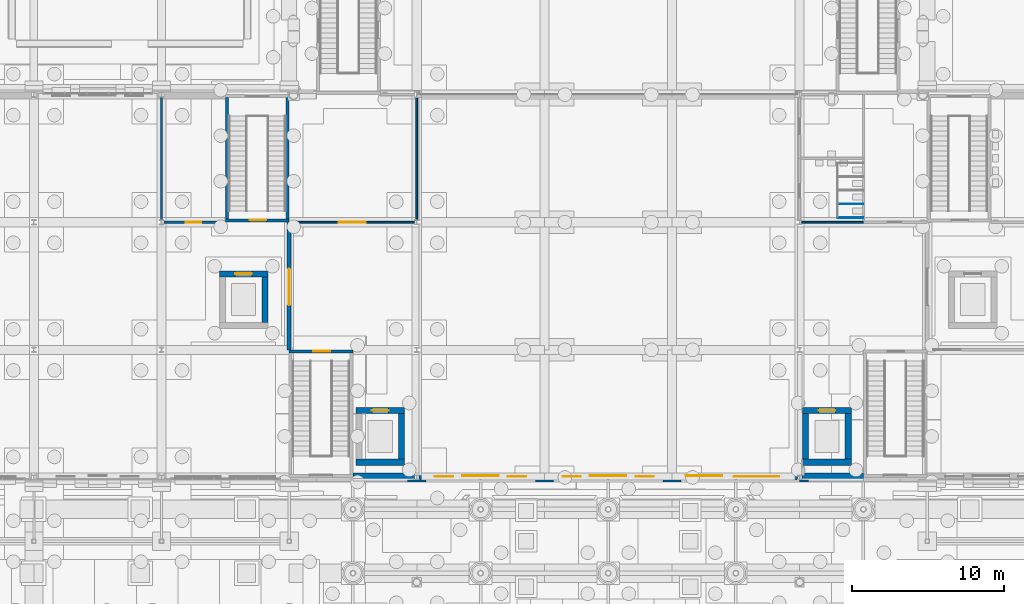
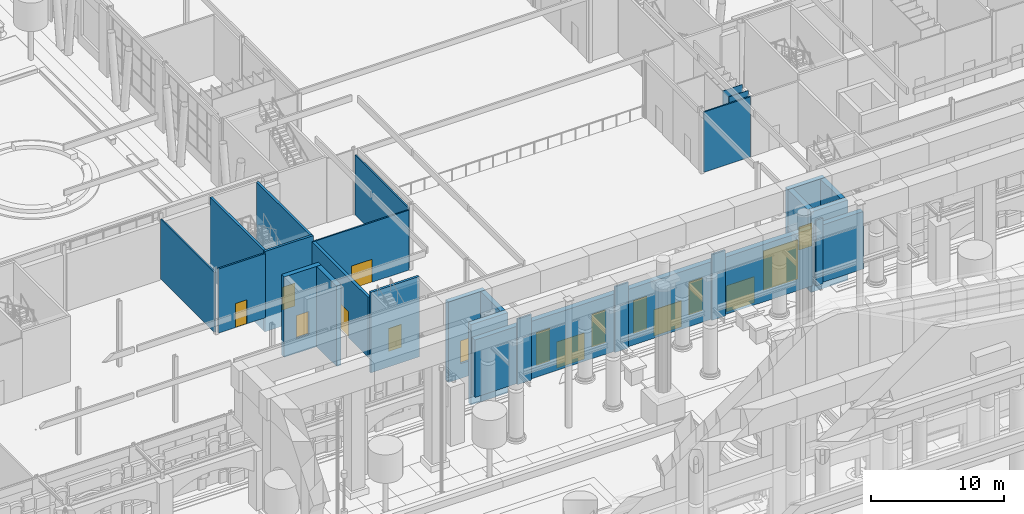
# One storey, part 90 of 222: 28 walls, 11 doors, 5 windows, 16 openings.
"""IFC4 building model written with IfcOpenShell, lengths in metres."""

from ifc_helpers import new_model, si_unit, direction, frame, frame_2d, origin, place, context, subcontext, project, spatial, rectangle, extrude, material, layer, layer_set, type_object, element, fill, save


model = new_model("IFC4")

# Units and contexts
model_context = context("Model", 3, precision=1e-05, world=origin(), true_north=direction((0.0, 1.0)))
body_context = subcontext(model_context, "Body", "Model", "MODEL_VIEW")
ifc_project = project(units=[si_unit("LENGTHUNIT", "METRE"), si_unit("AREAUNIT", "SQUARE_METRE"), si_unit("VOLUMEUNIT", "CUBIC_METRE"), si_unit("PLANEANGLEUNIT", "RADIAN"), si_unit("MASSUNIT", "GRAM", prefix="KILO")], contexts=[model_context])

# Site, building, storey
site_placement = place(None, origin())
site = spatial("IfcSite", under=ifc_project, at=site_placement, CompositionType="ELEMENT")
building_placement = place(site_placement, origin())
building = spatial("IfcBuilding", under=site, at=building_placement, Name="Sava Quay Ferry Terminal", CompositionType="ELEMENT")
storey_placement = place(building_placement, origin())
storey = spatial("IfcBuildingStorey", under=building, at=storey_placement, Name="L00", CompositionType="ELEMENT", Elevation=0.0)

# Wall, opening, door
ifc_material_1 = material(Name="Concrete C30/37", Category="concrete")
ifc_layer_1 = layer(ifc_material_1, 0.25)
ifc_layer_set_1 = layer_set([ifc_layer_1], Name="Concrete C30/37")
wall_type_1 = type_object("IfcWallType", Name="Compartment wall, reinforced concrete 250", PredefinedType="PARTITIONING", material=ifc_layer_set_1)
wall_1_placement = place(storey_placement, frame((42.0, 33.60009765625, 0.0), z_axis=(0.0, 0.0, 1.0), x_axis=(0.0, 1.0, 0.0)))
wall_1 = element("IfcWall", 1, at=wall_1_placement, inside=storey, type_object=wall_type_1, Name="Compartment wall, reinforced concrete 250", PredefinedType="PARTITIONING", context=body_context, shape_type="SweptSolid", body=[
    extrude(rectangle(XDim=8.39990234375, YDim=0.25, at=frame_2d((4.199951171875, 0.0))), origin(), (0.0, 0.0, 1.0), 5.47998046875),
])
opening_1_placement = place(wall_1_placement, frame((2.949951171875, 0.0, 0.0)))
opening_1 = element("IfcOpeningElement", 2, at=opening_1_placement, cuts=wall_1, Name="Opening DP0001", PredefinedType="OPENING", context=body_context, shape_type="SweptSolid", body=[
    extrude(rectangle(XDim=2.39990234375, YDim=2.39990234375, at=frame_2d((1.199951171875, 1.199951171875))), frame((0.0, 0.125, 0.0), z_axis=(0.0, -1.0, 0.0), x_axis=(1.0, 0.0, 0.0)), (0.0, 0.0, 1.0), 0.25),
])
ifc_material_2 = material(Name="Steel fire door set", Category="steel")
door_type_1 = type_object("IfcDoorType", Name="Compartment fire door set EI 90 2400 x 2400", OperationType="NOTDEFINED", PredefinedType="DOOR", material=ifc_material_2)
door_1_placement = place(opening_1_placement, origin())
door_1 = element("IfcDoor", 3, at=door_1_placement, inside=storey, type_object=door_type_1, Name="Door DP0001", OperationType="DOUBLE_DOOR_DOUBLE_SWING", OverallHeight=2.39990234375, OverallWidth=2.39990234375, PredefinedType="DOOR", context=body_context, shape_type="SweptSolid", body=[
    extrude(rectangle(XDim=2.39990234375, YDim=2.39990234375, at=frame_2d((1.199951171875, 1.199951171875))), frame((0.0, 0.02490234375, 0.0), z_axis=(0.0, -1.0, 0.0), x_axis=(1.0, 0.0, 0.0)), (0.0, 0.0, 1.0), 0.050048828125),
])
fill(opening_1, door_1)

# Walls
ifc_material_3 = material(Name="High-pressure laminate panel")
ifc_layer_2 = layer(ifc_material_3, 0.050048828125)
ifc_layer_set_2 = layer_set([ifc_layer_2], Name="High-pressure laminate panel")
wall_type_2 = type_object("IfcWallType", Name="Cubicle partition 50", PredefinedType="PARTITIONING", material=ifc_layer_set_2)
for number, where, z_axis, x_axis, name in (
    (4, (79.800048828125, 42.300048828125, 0.0), (0.0, 0.0, 1.0), (-1.0, 0.0, 0.0), "Cubicle partition panel"),
    (5, (79.800048828125, 43.199951171875, 0.0), (0.0, 0.0, 1.0), (-1.0, 0.0, 0.0), "Cubicle partition panel"),
):
    element("IfcWall", number, at=place(storey_placement, frame(where, z_axis=z_axis, x_axis=x_axis)), inside=storey, type_object=wall_type_2, Name=name, PredefinedType="PARTITIONING", context=body_context, shape_type="SweptSolid", body=[
        extrude(rectangle(XDim=1.699951171875, YDim=0.050048828125, at=frame_2d((0.85009765625, 0.0))), origin(), (0.0, 0.0, 1.0), 5.8701171875),
    ])
ifc_material_4 = material(Name="Limestone Mutalj", Category="masonry")
ifc_layer_3 = layer(ifc_material_4, 0.14990234375)
ifc_layer_set_3 = layer_set([ifc_layer_3], Name="Limestone Mutalj")
wall_type_3 = type_object("IfcWallType", Name="Pier cladding 150", PredefinedType="SOLIDWALL", material=ifc_layer_set_3)
for number, where, z_axis, x_axis, name in (
    (6, (49.800048828125, 24.965087890625, 0.0), (0.0, 0.0, 1.0), (1.0, 0.0, 0.0), "Pier W-S grid 50.4"),
    (7, (58.199951171875, 24.965087890625, 0.0), (0.0, 0.0, 1.0), (1.0, 0.0, 0.0), "Pier W-S grid 58.8"),
    (8, (66.60009765625, 24.965087890625, 0.0), (0.0, 0.0, 1.0), (1.0, 0.0, 0.0), "Pier W-S grid 67.2"),
):
    element("IfcWall", number, at=place(storey_placement, frame(where, z_axis=z_axis, x_axis=x_axis)), inside=storey, type_object=wall_type_3, Name=name, PredefinedType="SOLIDWALL", context=body_context, shape_type="SweptSolid", body=[
        extrude(rectangle(XDim=1.199951171875, YDim=0.14990234375, at=frame_2d((0.60009765625, 0.0))), origin(), (0.0, 0.0, 1.0), 6.0),
    ])
wall_2_placement = place(storey_placement, frame((75.60009765625, 24.965087890625, 0.0), z_axis=(0.0, 0.0, 1.0), x_axis=(1.0, 0.0, 0.0)))
element("IfcWall", 9, at=wall_2_placement, inside=storey, type_object=wall_type_3, Name="Pier P-S grid 75.6", PredefinedType="SOLIDWALL", context=body_context, shape_type="SweptSolid", body=[
    extrude(rectangle(XDim=0.599853515625, YDim=0.14990234375, at=frame_2d((0.2998046875, 0.0))), origin(), (0.0, 0.0, 1.0), 6.0),
])

# Wall, opening, door
ifc_material_5 = material(Name="Masonry blockwork", Category="masonry")
ifc_layer_4 = layer(ifc_material_5, 0.14990234375)
ifc_layer_set_4 = layer_set([ifc_layer_4], Name="Masonry blockwork")
wall_type_4 = type_object("IfcWallType", Name="Plant, store and lobby wall, blockwork 150", PredefinedType="PARTITIONING", material=ifc_layer_set_4)
wall_3_placement = place(storey_placement, frame((33.75, 42.0, 0.0), z_axis=(0.0, 0.0, 1.0), x_axis=(1.0, 0.0, 0.0)))
wall_3 = element("IfcWall", 10, at=wall_3_placement, inside=storey, type_object=wall_type_4, Name="Plant, store and lobby wall, blockwork 150", PredefinedType="PARTITIONING", context=body_context, shape_type="SweptSolid", body=[
    extrude(rectangle(XDim=4.050048828125, YDim=0.14990234375, at=frame_2d((2.02490234375, 0.0))), origin(), (0.0, 0.0, 1.0), 5.8701171875),
])
opening_2_placement = place(wall_3_placement, frame((1.449951171875, 0.0, 0.0)))
opening_2 = element("IfcOpeningElement", 11, at=opening_2_placement, cuts=wall_3, Name="Opening D0009", PredefinedType="OPENING", context=body_context, shape_type="SweptSolid", body=[
    extrude(rectangle(XDim=1.0, YDim=2.199951171875, at=frame_2d((0.5, 1.10009765625))), frame((0.0, 0.074951171875, 0.0), z_axis=(0.0, -1.0, 0.0), x_axis=(1.0, 0.0, 0.0)), (0.0, 0.0, 1.0), 0.14990234375),
])
ifc_material_6 = material(Name="Timber door set", Category="wood")
door_type_2 = type_object("IfcDoorType", Name="Single door 1000 x 2200", OperationType="NOTDEFINED", PredefinedType="DOOR", material=ifc_material_6)
door_2_placement = place(opening_2_placement, origin())
door_2 = element("IfcDoor", 12, at=door_2_placement, inside=storey, type_object=door_type_2, Name="Door D0009", OperationType="SINGLE_SWING_RIGHT", OverallHeight=2.199951171875, OverallWidth=1.0, PredefinedType="DOOR", context=body_context, shape_type="SweptSolid", body=[
    extrude(rectangle(XDim=1.0, YDim=2.199951171875, at=frame_2d((0.5, 1.10009765625))), frame((0.0, 0.02490234375, 0.0), z_axis=(0.0, -1.0, 0.0), x_axis=(1.0, 0.0, 0.0)), (0.0, 0.0, 1.0), 0.050048828125),
])
fill(opening_2, door_2)

ifc_material_7 = material(Name="Concrete C35/45", Category="concrete")
ifc_layer_5 = layer(ifc_material_7, 0.199951171875)
ifc_layer_set_5 = layer_set([ifc_layer_5], Name="Concrete C35/45")
wall_type_5 = type_object("IfcWallType", Name="RC core wall 200", PredefinedType="SHEAR", material=ifc_layer_set_5)
wall_4_placement = place(storey_placement, frame((42.0, 33.5, -1.35009765625), z_axis=(0.0, 0.0, 1.0), x_axis=(1.0, 0.0, 0.0)))
wall_4 = element("IfcWall", 13, at=wall_4_placement, inside=storey, type_object=wall_type_5, Name="Core wall ST-A1 N L00", PredefinedType="SHEAR", context=body_context, shape_type="SweptSolid", body=[
    extrude(rectangle(XDim=4.199951171875, YDim=0.199951171875, at=frame_2d((2.10009765625, 0.0))), origin(), (0.0, 0.0, 1.0), 7.35009765625),
])
opening_3_placement = place(wall_4_placement, frame((1.60009765625, 0.0, 1.35009765625)))
opening_3 = element("IfcOpeningElement", 14, at=opening_3_placement, cuts=wall_4, Name="Opening DS0001", PredefinedType="OPENING", context=body_context, shape_type="SweptSolid", body=[
    extrude(rectangle(XDim=1.10009765625, YDim=2.10009765625, at=frame_2d((0.550048828125, 1.050048828125))), frame((0.0, 0.10009765625, 0.0), z_axis=(0.0, -1.0, 0.0), x_axis=(1.0, 0.0, 0.0)), (0.0, 0.0, 1.0), 0.199951171875),
])
ifc_material_8 = material(Name="Steel fire door set", Category="steel")
door_type_3 = type_object("IfcDoorType", Name="Stair fire door 1100 x 2100", OperationType="NOTDEFINED", PredefinedType="DOOR", material=ifc_material_8)
door_3_placement = place(opening_3_placement, origin())
door_3 = element("IfcDoor", 15, at=door_3_placement, inside=storey, type_object=door_type_3, Name="Door DS0001", OperationType="SINGLE_SWING_RIGHT", OverallHeight=2.10009765625, OverallWidth=1.10009765625, PredefinedType="DOOR", context=body_context, shape_type="SweptSolid", body=[
    extrude(rectangle(XDim=1.10009765625, YDim=2.10009765625, at=frame_2d((0.550048828125, 1.050048828125))), frame((0.0, 0.02490234375, 0.0), z_axis=(0.0, -1.0, 0.0), x_axis=(1.0, 0.0, 0.0)), (0.0, 0.0, 1.0), 0.050048828125),
])
fill(opening_3, door_3)

wall_5_placement = place(storey_placement, frame((37.800048828125, 42.10009765625, -1.35009765625), z_axis=(0.0, 0.0, 1.0), x_axis=(1.0, 0.0, 0.0)))
wall_5 = element("IfcWall", 16, at=wall_5_placement, inside=storey, type_object=wall_type_5, Name="Core wall ST-W2 S L00", PredefinedType="SHEAR", context=body_context, shape_type="SweptSolid", body=[
    extrude(rectangle(XDim=4.199951171875, YDim=0.199951171875, at=frame_2d((2.10009765625, 0.0))), origin(), (0.0, 0.0, 1.0), 7.35009765625),
])
opening_4_placement = place(wall_5_placement, frame((1.60009765625, 0.0, 1.35009765625)))
opening_4 = element("IfcOpeningElement", 17, at=opening_4_placement, cuts=wall_5, Name="Opening DS0005", PredefinedType="OPENING", context=body_context, shape_type="SweptSolid", body=[
    extrude(rectangle(XDim=1.10009765625, YDim=2.10009765625, at=frame_2d((0.550048828125, 1.050048828125))), frame((0.0, 0.10009765625, 0.0), z_axis=(0.0, -1.0, 0.0), x_axis=(1.0, 0.0, 0.0)), (0.0, 0.0, 1.0), 0.199951171875),
])
door_4_placement = place(opening_4_placement, frame((1.10009765625, 0.050048828125, 0.0), z_axis=(0.0, 0.0, 1.0), x_axis=(-1.0, 0.0, 0.0)))
door_4 = element("IfcDoor", 18, at=door_4_placement, inside=storey, type_object=door_type_3, Name="Door DS0005", OperationType="SINGLE_SWING_RIGHT", OverallHeight=2.10009765625, OverallWidth=1.10009765625, PredefinedType="DOOR", context=body_context, shape_type="SweptSolid", body=[
    extrude(rectangle(XDim=1.10009765625, YDim=2.10009765625, at=frame_2d((0.550048828125, 1.050048828125))), frame((0.0, 0.02490234375, 0.0), z_axis=(0.0, -1.0, 0.0), x_axis=(1.0, 0.0, 0.0)), (0.0, 0.0, 1.0), 0.050048828125),
])
fill(opening_4, door_4)

# Walls
for number, where, z_axis, x_axis, name in (
    (19, (37.89990234375, 42.199951171875, -1.35009765625), (0.0, 0.0, 1.0), (0.0, 1.0, 0.0), "Core wall ST-W2 W L00"),
    (20, (41.89990234375, 42.199951171875, -1.35009765625), (0.0, 0.0, 1.0), (0.0, 1.0, 0.0), "Core wall ST-W2 E L00"),
):
    element("IfcWall", number, at=place(storey_placement, frame(where, z_axis=z_axis, x_axis=x_axis)), inside=storey, type_object=wall_type_5, Name=name, PredefinedType="SHEAR", context=body_context, shape_type="SweptSolid", body=[
        extrude(rectangle(XDim=8.0, YDim=0.199951171875, at=frame_2d((4.0, 0.0))), origin(), (0.0, 0.0, 1.0), 7.35009765625),
    ])
ifc_material_9 = material(Name="Concrete C35/45", Category="concrete")
ifc_layer_6 = layer(ifc_material_9, 0.39990234375)
ifc_layer_set_6 = layer_set([ifc_layer_6], Name="Concrete C35/45")
wall_type_6 = type_object("IfcWallType", Name="RC core wall 400", PredefinedType="SHEAR", material=ifc_layer_set_6)
wall_6_placement = place(storey_placement, frame((46.39990234375, 26.199951171875, -1.35009765625), z_axis=(0.0, 0.0, 1.0), x_axis=(1.0, 0.0, 0.0)))
element("IfcWall", 21, at=wall_6_placement, inside=storey, type_object=wall_type_6, Name="Core wall LF-A1 S L00", PredefinedType="SHEAR", context=body_context, shape_type="SweptSolid", body=[
    extrude(rectangle(XDim=3.2001953125, YDim=0.39990234375, at=frame_2d((1.60009765625, 0.0))), origin(), (0.0, 0.0, 1.0), 7.35009765625),
])

# Wall, opening, door
wall_7_placement = place(storey_placement, frame((46.39990234375, 29.60009765625, -1.35009765625), z_axis=(0.0, 0.0, 1.0), x_axis=(1.0, 0.0, 0.0)))
wall_7 = element("IfcWall", 22, at=wall_7_placement, inside=storey, type_object=wall_type_6, Name="Core wall LF-A1 N L00", PredefinedType="SHEAR", context=body_context, shape_type="SweptSolid", body=[
    extrude(rectangle(XDim=3.2001953125, YDim=0.39990234375, at=frame_2d((1.60009765625, 0.0))), origin(), (0.0, 0.0, 1.0), 7.35009765625),
])
opening_5_placement = place(wall_7_placement, frame((1.050048828125, 0.0, 1.35009765625)))
opening_5 = element("IfcOpeningElement", 23, at=opening_5_placement, cuts=wall_7, Name="Opening LD0001", PredefinedType="OPENING", context=body_context, shape_type="SweptSolid", body=[
    extrude(rectangle(XDim=1.10009765625, YDim=2.10009765625, at=frame_2d((0.550048828125, 1.050048828125))), frame((0.0, 0.199951171875, 0.0), z_axis=(0.0, -1.0, 0.0), x_axis=(1.0, 0.0, 0.0)), (0.0, 0.0, 1.0), 0.39990234375),
])
ifc_material_10 = material(Name="Stainless steel", Category="steel")
door_type_4 = type_object("IfcDoorType", Name="Lift landing door 1100 x 2100", OperationType="NOTDEFINED", PredefinedType="DOOR", material=ifc_material_10)
door_5_placement = place(opening_5_placement, origin())
door_5 = element("IfcDoor", 24, at=door_5_placement, inside=storey, type_object=door_type_4, Name="Door LD0001", OperationType="SLIDING_TO_LEFT", OverallHeight=2.10009765625, OverallWidth=1.10009765625, PredefinedType="DOOR", context=body_context, shape_type="SweptSolid", body=[
    extrude(rectangle(XDim=1.10009765625, YDim=2.10009765625, at=frame_2d((0.550048828125, 1.050048828125))), frame((0.0, 0.02490234375, 0.0), z_axis=(0.0, -1.0, 0.0), x_axis=(1.0, 0.0, 0.0)), (0.0, 0.0, 1.0), 0.050048828125),
])
fill(opening_5, door_5)

# Walls
wall_8_placement = place(storey_placement, frame((49.39990234375, 26.39990234375, -1.35009765625), z_axis=(0.0, 0.0, 1.0), x_axis=(0.0, 1.0, 0.0)))
element("IfcWall", 25, at=wall_8_placement, inside=storey, type_object=wall_type_6, Name="Core wall LF-A1 E L00", PredefinedType="SHEAR", context=body_context, shape_type="SweptSolid", body=[
    extrude(rectangle(XDim=3.0, YDim=0.39990234375, at=frame_2d((1.5, 0.0))), origin(), (0.0, 0.0, 1.0), 7.35009765625),
])
wall_9_placement = place(storey_placement, frame((75.800048828125, 26.199951171875, -1.35009765625), z_axis=(0.0, 0.0, 1.0), x_axis=(1.0, 0.0, 0.0)))
element("IfcWall", 26, at=wall_9_placement, inside=storey, type_object=wall_type_6, Name="Core wall LF-A2 S L00", PredefinedType="SHEAR", context=body_context, shape_type="SweptSolid", body=[
    extrude(rectangle(XDim=3.199951171875, YDim=0.39990234375, at=frame_2d((1.60009765625, 0.0))), origin(), (0.0, 0.0, 1.0), 7.35009765625),
])

# Wall, opening, door
wall_10_placement = place(storey_placement, frame((75.800048828125, 29.60009765625, -1.35009765625), z_axis=(0.0, 0.0, 1.0), x_axis=(1.0, 0.0, 0.0)))
wall_10 = element("IfcWall", 27, at=wall_10_placement, inside=storey, type_object=wall_type_6, Name="Core wall LF-A2 N L00", PredefinedType="SHEAR", context=body_context, shape_type="SweptSolid", body=[
    extrude(rectangle(XDim=3.199951171875, YDim=0.39990234375, at=frame_2d((1.60009765625, 0.0))), origin(), (0.0, 0.0, 1.0), 7.35009765625),
])
opening_6_placement = place(wall_10_placement, frame((1.050048828125, 0.0, 1.35009765625)))
opening_6 = element("IfcOpeningElement", 28, at=opening_6_placement, cuts=wall_10, Name="Opening LD0002", PredefinedType="OPENING", context=body_context, shape_type="SweptSolid", body=[
    extrude(rectangle(XDim=1.10009765625, YDim=2.10009765625, at=frame_2d((0.550048828125, 1.050048828125))), frame((0.0, 0.199951171875, 0.0), z_axis=(0.0, -1.0, 0.0), x_axis=(1.0, 0.0, 0.0)), (0.0, 0.0, 1.0), 0.39990234375),
])
door_6_placement = place(opening_6_placement, origin())
door_6 = element("IfcDoor", 29, at=door_6_placement, inside=storey, type_object=door_type_4, Name="Door LD0002", OperationType="SLIDING_TO_RIGHT", OverallHeight=2.10009765625, OverallWidth=1.10009765625, PredefinedType="DOOR", context=body_context, shape_type="SweptSolid", body=[
    extrude(rectangle(XDim=1.10009765625, YDim=2.10009765625, at=frame_2d((0.550048828125, 1.050048828125))), frame((0.0, 0.02490234375, 0.0), z_axis=(0.0, -1.0, 0.0), x_axis=(1.0, 0.0, 0.0)), (0.0, 0.0, 1.0), 0.050048828125),
])
fill(opening_6, door_6)

# Walls
for number, where, z_axis, x_axis, name in (
    (30, (76.0, 26.39990234375, -1.35009765625), (0.0, 0.0, 1.0), (0.0, 1.0, 0.0), "Core wall LF-A2 W L00"),
    (31, (78.800048828125, 26.39990234375, -1.35009765625), (0.0, 0.0, 1.0), (0.0, 1.0, 0.0), "Core wall LF-A2 E L00"),
):
    element("IfcWall", number, at=place(storey_placement, frame(where, z_axis=z_axis, x_axis=x_axis)), inside=storey, type_object=wall_type_6, Name=name, PredefinedType="SHEAR", context=body_context, shape_type="SweptSolid", body=[
        extrude(rectangle(XDim=3.0, YDim=0.39990234375, at=frame_2d((1.5, 0.0))), origin(), (0.0, 0.0, 1.0), 7.35009765625),
    ])

# Wall, opening, door
wall_11_placement = place(storey_placement, frame((37.39990234375, 38.60009765625, -1.35009765625), z_axis=(0.0, 0.0, 1.0), x_axis=(1.0, 0.0, 0.0)))
wall_11 = element("IfcWall", 32, at=wall_11_placement, inside=storey, type_object=wall_type_6, Name="Core wall LF-W2 N L00", PredefinedType="SHEAR", context=body_context, shape_type="SweptSolid", body=[
    extrude(rectangle(XDim=3.2001953125, YDim=0.39990234375, at=frame_2d((1.60009765625, 0.0))), origin(), (0.0, 0.0, 1.0), 7.35009765625),
])
opening_7_placement = place(wall_11_placement, frame((1.050048828125, 0.0, 1.35009765625)))
opening_7 = element("IfcOpeningElement", 33, at=opening_7_placement, cuts=wall_11, Name="Opening LD0004", PredefinedType="OPENING", context=body_context, shape_type="SweptSolid", body=[
    extrude(rectangle(XDim=1.10009765625, YDim=2.10009765625, at=frame_2d((0.550048828125, 1.050048828125))), frame((0.0, 0.199951171875, 0.0), z_axis=(0.0, -1.0, 0.0), x_axis=(1.0, 0.0, 0.0)), (0.0, 0.0, 1.0), 0.39990234375),
])
door_7_placement = place(opening_7_placement, origin())
door_7 = element("IfcDoor", 34, at=door_7_placement, inside=storey, type_object=door_type_4, Name="Door LD0004", OperationType="SLIDING_TO_RIGHT", OverallHeight=2.10009765625, OverallWidth=1.10009765625, PredefinedType="DOOR", context=body_context, shape_type="SweptSolid", body=[
    extrude(rectangle(XDim=1.10009765625, YDim=2.10009765625, at=frame_2d((0.550048828125, 1.050048828125))), frame((0.0, 0.02490234375, 0.0), z_axis=(0.0, -1.0, 0.0), x_axis=(1.0, 0.0, 0.0)), (0.0, 0.0, 1.0), 0.050048828125),
])
fill(opening_7, door_7)

# Wall
wall_12_placement = place(storey_placement, frame((40.39990234375, 35.39990234375, -1.35009765625), z_axis=(0.0, 0.0, 1.0), x_axis=(0.0, 1.0, 0.0)))
element("IfcWall", 35, at=wall_12_placement, inside=storey, type_object=wall_type_6, Name="Core wall LF-W2 E L00", PredefinedType="SHEAR", context=body_context, shape_type="SweptSolid", body=[
    extrude(rectangle(XDim=3.0, YDim=0.39990234375, at=frame_2d((1.5, 0.0))), origin(), (0.0, 0.0, 1.0), 7.35009765625),
])

# Wall, opening, door
ifc_material_11 = material(Name="Plasterboard on steel studs", Category="steel")
ifc_layer_7 = layer(ifc_material_11, 0.125)
ifc_layer_set_7 = layer_set([ifc_layer_7], Name="Plasterboard on steel studs")
wall_type_7 = type_object("IfcWallType", Name="Room partition, plasterboard on steel studs 125", PredefinedType="PARTITIONING", material=ifc_layer_set_7)
wall_13_placement = place(storey_placement, frame((42.0, 42.0, 0.0), z_axis=(0.0, 0.0, 1.0), x_axis=(1.0, 0.0, 0.0)))
wall_13 = element("IfcWall", 36, at=wall_13_placement, inside=storey, type_object=wall_type_7, Name="Room partition, plasterboard on steel studs 125", PredefinedType="PARTITIONING", context=body_context, shape_type="SweptSolid", body=[
    extrude(rectangle(XDim=8.25, YDim=0.125, at=frame_2d((4.125, 0.0))), origin(), (0.0, 0.0, 1.0), 5.47998046875),
])
opening_8_placement = place(wall_13_placement, frame((3.25, 0.0, 0.0)))
opening_8 = element("IfcOpeningElement", 37, at=opening_8_placement, cuts=wall_13, Name="Opening D0001", PredefinedType="OPENING", context=body_context, shape_type="SweptSolid", body=[
    extrude(rectangle(XDim=1.800048828125, YDim=2.10009765625, at=frame_2d((0.89990234375, 1.050048828125))), frame((0.0, 0.0625, 0.0), z_axis=(0.0, -1.0, 0.0), x_axis=(1.0, 0.0, 0.0)), (0.0, 0.0, 1.0), 0.125),
])
ifc_material_12 = material(Name="Timber door set", Category="wood")
door_type_5 = type_object("IfcDoorType", Name="Double door 1800 x 2100", OperationType="NOTDEFINED", PredefinedType="DOOR", material=ifc_material_12)
door_8_placement = place(opening_8_placement, origin())
door_8 = element("IfcDoor", 38, at=door_8_placement, inside=storey, type_object=door_type_5, Name="Door D0001", OperationType="DOUBLE_DOOR_DOUBLE_SWING", OverallHeight=2.10009765625, OverallWidth=1.800048828125, PredefinedType="DOOR", context=body_context, shape_type="SweptSolid", body=[
    extrude(rectangle(XDim=1.800048828125, YDim=2.10009765625, at=frame_2d((0.89990234375, 1.050048828125))), frame((0.0, 0.02490234375, 0.0), z_axis=(0.0, -1.0, 0.0), x_axis=(1.0, 0.0, 0.0)), (0.0, 0.0, 1.0), 0.050048828125),
])
fill(opening_8, door_8)

# Walls
wall_14_placement = place(storey_placement, frame((50.39990234375, 42.14990234375, 0.0), z_axis=(0.0, 0.0, 1.0), x_axis=(0.0, 1.0, 0.0)))
element("IfcWall", 39, at=wall_14_placement, inside=storey, type_object=wall_type_7, Name="Room partition, plasterboard on steel studs 125", PredefinedType="PARTITIONING", context=body_context, shape_type="SweptSolid", body=[
    extrude(rectangle(XDim=8.050048828125, YDim=0.125, at=frame_2d((4.02490234375, 0.0))), origin(), (0.0, 0.0, 1.0), 5.47998046875),
])
wall_15_placement = place(storey_placement, frame((33.60009765625, 42.159912109375, 0.0), z_axis=(0.0, 0.0, 1.0), x_axis=(0.0, 1.0, 0.0)))
element("IfcWall", 40, at=wall_15_placement, inside=storey, type_object=wall_type_7, Name="Room partition, plasterboard on steel studs 125", PredefinedType="PARTITIONING", context=body_context, shape_type="SweptSolid", body=[
    extrude(rectangle(XDim=8.080078125, YDim=0.125, at=frame_2d((4.0400390625, 0.0))), origin(), (0.0, 0.0, 1.0), 5.47998046875),
])
ifc_material_13 = material(Name="Limestone Mutalj", Category="masonry")
ifc_layer_8 = layer(ifc_material_13, 0.449951171875)
ifc_layer_set_8 = layer_set([ifc_layer_8], Name="Limestone Mutalj")
wall_type_8 = type_object("IfcWallType", Name="Rusticated limestone infill 450", PredefinedType="SOLIDWALL", material=ifc_layer_set_8)
wall_16_placement = place(storey_placement, frame((46.199951171875, 25.264892578125, 0.0), z_axis=(0.0, 0.0, 1.0), x_axis=(1.0, 0.0, 0.0)))
element("IfcWall", 41, at=wall_16_placement, inside=storey, type_object=wall_type_8, Name="External wall W-S", PredefinedType="SOLIDWALL", context=body_context, shape_type="SweptSolid", body=[
    extrude(rectangle(XDim=4.050048828125, YDim=0.449951171875, at=frame_2d((2.02490234375, 0.0))), origin(), (0.0, 0.0, 1.0), 5.25),
])

# Wall, openings, doors, windows
wall_17_placement = place(storey_placement, frame((50.550048828125, 25.264892578125, 0.0), z_axis=(0.0, 0.0, 1.0), x_axis=(1.0, 0.0, 0.0)))
wall_17 = element("IfcWall", 42, at=wall_17_placement, inside=storey, type_object=wall_type_8, Name="External wall W-S", PredefinedType="SOLIDWALL", context=body_context, shape_type="SweptSolid", body=[
    extrude(rectangle(XDim=24.89990234375, YDim=0.449951171875, at=frame_2d((12.449951171875, 0.0))), origin(), (0.0, 0.0, 1.0), 5.25),
])
opening_9_placement = place(wall_17_placement, frame((2.85009765625, 0.0, 0.0)))
opening_9 = element("IfcOpeningElement", 43, at=opening_9_placement, cuts=wall_17, Name="Opening DX-A1", PredefinedType="OPENING", context=body_context, shape_type="SweptSolid", body=[
    extrude(rectangle(XDim=2.39990234375, YDim=2.39990234375, at=frame_2d((1.199951171875, 1.199951171875))), frame((0.0, 0.22509765625, 0.0), z_axis=(0.0, -1.0, 0.0), x_axis=(1.0, 0.0, 0.0)), (0.0, 0.0, 1.0), 0.449951171875),
])
opening_10_placement = place(wall_17_placement, frame((1.050048828125, 0.0, 0.89990234375)))
opening_10 = element("IfcOpeningElement", 44, at=opening_10_placement, cuts=wall_17, Name="Opening W-E1", PredefinedType="OPENING", context=body_context, shape_type="SweptSolid", body=[
    extrude(rectangle(XDim=1.199951171875, YDim=3.0, at=frame_2d((0.60009765625, 1.5))), frame((0.0, 0.22509765625, 0.0), z_axis=(0.0, -1.0, 0.0), x_axis=(1.0, 0.0, 0.0)), (0.0, 0.0, 1.0), 0.449951171875),
])
opening_11_placement = place(wall_17_placement, frame((5.85009765625, 0.0, 0.89990234375)))
opening_11 = element("IfcOpeningElement", 45, at=opening_11_placement, cuts=wall_17, Name="Opening W-E1", PredefinedType="OPENING", context=body_context, shape_type="SweptSolid", body=[
    extrude(rectangle(XDim=1.199951171875, YDim=3.0, at=frame_2d((0.60009765625, 1.5))), frame((0.0, 0.22509765625, 0.0), z_axis=(0.0, -1.0, 0.0), x_axis=(1.0, 0.0, 0.0)), (0.0, 0.0, 1.0), 0.449951171875),
])
opening_12_placement = place(wall_17_placement, frame((11.25, 0.0, 0.0)))
opening_12 = element("IfcOpeningElement", 46, at=opening_12_placement, cuts=wall_17, Name="Opening DX-A2", PredefinedType="OPENING", context=body_context, shape_type="SweptSolid", body=[
    extrude(rectangle(XDim=2.39990234375, YDim=2.39990234375, at=frame_2d((1.199951171875, 1.199951171875))), frame((0.0, 0.22509765625, 0.0), z_axis=(0.0, -1.0, 0.0), x_axis=(1.0, 0.0, 0.0)), (0.0, 0.0, 1.0), 0.449951171875),
])
opening_13_placement = place(wall_17_placement, frame((9.449951171875, 0.0, 0.89990234375)))
opening_13 = element("IfcOpeningElement", 47, at=opening_13_placement, cuts=wall_17, Name="Opening W-E1", PredefinedType="OPENING", context=body_context, shape_type="SweptSolid", body=[
    extrude(rectangle(XDim=1.199951171875, YDim=3.0, at=frame_2d((0.60009765625, 1.5))), frame((0.0, 0.22509765625, 0.0), z_axis=(0.0, -1.0, 0.0), x_axis=(1.0, 0.0, 0.0)), (0.0, 0.0, 1.0), 0.449951171875),
])
opening_14_placement = place(wall_17_placement, frame((14.25, 0.0, 0.89990234375)))
opening_14 = element("IfcOpeningElement", 48, at=opening_14_placement, cuts=wall_17, Name="Opening W-E1", PredefinedType="OPENING", context=body_context, shape_type="SweptSolid", body=[
    extrude(rectangle(XDim=1.199951171875, YDim=3.0, at=frame_2d((0.60009765625, 1.5))), frame((0.0, 0.22509765625, 0.0), z_axis=(0.0, -1.0, 0.0), x_axis=(1.0, 0.0, 0.0)), (0.0, 0.0, 1.0), 0.449951171875),
])
opening_15_placement = place(wall_17_placement, frame((17.550048828125, 0.0, 0.0)))
opening_15 = element("IfcOpeningElement", 49, at=opening_15_placement, cuts=wall_17, Name="Opening DX-A3", PredefinedType="OPENING", context=body_context, shape_type="SweptSolid", body=[
    extrude(rectangle(XDim=2.39990234375, YDim=2.39990234375, at=frame_2d((1.199951171875, 1.199951171875))), frame((0.0, 0.22509765625, 0.0), z_axis=(0.0, -1.0, 0.0), x_axis=(1.0, 0.0, 0.0)), (0.0, 0.0, 1.0), 0.449951171875),
])
opening_16_placement = place(wall_17_placement, frame((20.699951171875, 0.0, 0.89990234375)))
opening_16 = element("IfcOpeningElement", 50, at=opening_16_placement, cuts=wall_17, Name="Opening W-A", PredefinedType="OPENING", context=body_context, shape_type="SweptSolid", body=[
    extrude(rectangle(XDim=3.0, YDim=3.60009765625, at=frame_2d((1.5, 1.800048828125))), frame((0.0, 0.22509765625, 0.0), z_axis=(0.0, -1.0, 0.0), x_axis=(1.0, 0.0, 0.0)), (0.0, 0.0, 1.0), 0.449951171875),
])
ifc_material_14 = material(Name="Aluminium bronze anodised, glazing safety laminated", Category="aluminium")
door_type_6 = type_object("IfcDoorType", Name="Entrance double door 2400x2400", OperationType="DOUBLE_DOOR_SINGLE_SWING", PredefinedType="DOOR", material=ifc_material_14)
door_9_placement = place(opening_9_placement, frame((2.39990234375, 0.050048828125, 0.0), z_axis=(0.0, 0.0, 1.0), x_axis=(-1.0, 0.0, 0.0)))
door_9 = element("IfcDoor", 51, at=door_9_placement, inside=storey, type_object=door_type_6, Name="Door DX-A1", OperationType="DOUBLE_DOOR_SINGLE_SWING", OverallHeight=2.39990234375, OverallWidth=2.39990234375, PredefinedType="DOOR", context=body_context, shape_type="SweptSolid", body=[
    extrude(rectangle(XDim=2.39990234375, YDim=2.39990234375, at=frame_2d((1.199951171875, 1.199951171875))), frame((0.0, 0.02490234375, 0.0), z_axis=(0.0, -1.0, 0.0), x_axis=(1.0, 0.0, 0.0)), (0.0, 0.0, 1.0), 0.050048828125),
])
fill(opening_9, door_9)
door_10_placement = place(opening_12_placement, frame((2.39990234375, 0.050048828125, 0.0), z_axis=(0.0, 0.0, 1.0), x_axis=(-1.0, 0.0, 0.0)))
door_10 = element("IfcDoor", 52, at=door_10_placement, inside=storey, type_object=door_type_6, Name="Door DX-A2", OperationType="DOUBLE_DOOR_SINGLE_SWING", OverallHeight=2.39990234375, OverallWidth=2.39990234375, PredefinedType="DOOR", context=body_context, shape_type="SweptSolid", body=[
    extrude(rectangle(XDim=2.39990234375, YDim=2.39990234375, at=frame_2d((1.199951171875, 1.199951171875))), frame((0.0, 0.02490234375, 0.0), z_axis=(0.0, -1.0, 0.0), x_axis=(1.0, 0.0, 0.0)), (0.0, 0.0, 1.0), 0.050048828125),
])
fill(opening_12, door_10)
door_11_placement = place(opening_15_placement, frame((2.39990234375, 0.050048828125, 0.0), z_axis=(0.0, 0.0, 1.0), x_axis=(-1.0, 0.0, 0.0)))
door_11 = element("IfcDoor", 53, at=door_11_placement, inside=storey, type_object=door_type_6, Name="Door DX-A3", OperationType="DOUBLE_DOOR_SINGLE_SWING", OverallHeight=2.39990234375, OverallWidth=2.39990234375, PredefinedType="DOOR", context=body_context, shape_type="SweptSolid", body=[
    extrude(rectangle(XDim=2.39990234375, YDim=2.39990234375, at=frame_2d((1.199951171875, 1.199951171875))), frame((0.0, 0.02490234375, 0.0), z_axis=(0.0, -1.0, 0.0), x_axis=(1.0, 0.0, 0.0)), (0.0, 0.0, 1.0), 0.050048828125),
])
fill(opening_15, door_11)
ifc_material_15 = material(Name="Aluminium bronze anodised frame, glazing double low-e Ug 1.1", Category="aluminium")
window_type_1 = type_object("IfcWindowType", Name="Entrance sidelight 1200x3000", PartitioningType="SINGLE_PANEL", PredefinedType="WINDOW", material=ifc_material_15)
window_1_placement = place(opening_10_placement, origin())
window_1 = element("IfcWindow", 54, at=window_1_placement, inside=storey, type_object=window_type_1, Name="Window W-E1", OverallHeight=3.0, OverallWidth=1.199951171875, PartitioningType="SINGLE_PANEL", PredefinedType="WINDOW", context=body_context, shape_type="SweptSolid", body=[
    extrude(rectangle(XDim=1.199951171875, YDim=3.0, at=frame_2d((0.60009765625, 1.5))), frame((0.0, 0.030029296875, 0.0), z_axis=(0.0, -1.0, 0.0), x_axis=(1.0, 0.0, 0.0)), (0.0, 0.0, 1.0), 0.06005859375),
])
fill(opening_10, window_1)
window_2_placement = place(opening_11_placement, origin())
window_2 = element("IfcWindow", 55, at=window_2_placement, inside=storey, type_object=window_type_1, Name="Window W-E1", OverallHeight=3.0, OverallWidth=1.199951171875, PartitioningType="SINGLE_PANEL", PredefinedType="WINDOW", context=body_context, shape_type="SweptSolid", body=[
    extrude(rectangle(XDim=1.199951171875, YDim=3.0, at=frame_2d((0.60009765625, 1.5))), frame((0.0, 0.030029296875, 0.0), z_axis=(0.0, -1.0, 0.0), x_axis=(1.0, 0.0, 0.0)), (0.0, 0.0, 1.0), 0.06005859375),
])
fill(opening_11, window_2)
window_3_placement = place(opening_13_placement, origin())
window_3 = element("IfcWindow", 56, at=window_3_placement, inside=storey, type_object=window_type_1, Name="Window W-E1", OverallHeight=3.0, OverallWidth=1.199951171875, PartitioningType="SINGLE_PANEL", PredefinedType="WINDOW", context=body_context, shape_type="SweptSolid", body=[
    extrude(rectangle(XDim=1.199951171875, YDim=3.0, at=frame_2d((0.60009765625, 1.5))), frame((0.0, 0.030029296875, 0.0), z_axis=(0.0, -1.0, 0.0), x_axis=(1.0, 0.0, 0.0)), (0.0, 0.0, 1.0), 0.06005859375),
])
fill(opening_13, window_3)
window_4_placement = place(opening_14_placement, origin())
window_4 = element("IfcWindow", 57, at=window_4_placement, inside=storey, type_object=window_type_1, Name="Window W-E1", OverallHeight=3.0, OverallWidth=1.199951171875, PartitioningType="SINGLE_PANEL", PredefinedType="WINDOW", context=body_context, shape_type="SweptSolid", body=[
    extrude(rectangle(XDim=1.199951171875, YDim=3.0, at=frame_2d((0.60009765625, 1.5))), frame((0.0, 0.030029296875, 0.0), z_axis=(0.0, -1.0, 0.0), x_axis=(1.0, 0.0, 0.0)), (0.0, 0.0, 1.0), 0.06005859375),
])
fill(opening_14, window_4)
ifc_material_16 = material(Name="Aluminium bronze anodised frame, glazing double low-e Ug 1.1", Category="aluminium")
window_type_2 = type_object("IfcWindowType", Name="Tall ordered window 3000x3600", PartitioningType="SINGLE_PANEL", PredefinedType="WINDOW", material=ifc_material_16)
window_5_placement = place(opening_16_placement, origin())
window_5 = element("IfcWindow", 58, at=window_5_placement, inside=storey, type_object=window_type_2, Name="Window W-A", OverallHeight=3.60009765625, OverallWidth=3.0, PartitioningType="SINGLE_PANEL", PredefinedType="WINDOW", context=body_context, shape_type="SweptSolid", body=[
    extrude(rectangle(XDim=3.0, YDim=3.60009765625, at=frame_2d((1.5, 1.800048828125))), frame((0.0, 0.030029296875, 0.0), z_axis=(0.0, -1.0, 0.0), x_axis=(1.0, 0.0, 0.0)), (0.0, 0.0, 1.0), 0.06005859375),
])
fill(opening_16, window_5)

# Walls
wall_18_placement = place(storey_placement, frame((75.75, 25.264892578125, 0.0), z_axis=(0.0, 0.0, 1.0), x_axis=(1.0, 0.0, 0.0)))
element("IfcWall", 59, at=wall_18_placement, inside=storey, type_object=wall_type_8, Name="External wall P-S", PredefinedType="SOLIDWALL", context=body_context, shape_type="SweptSolid", body=[
    extrude(rectangle(XDim=4.050048828125, YDim=0.449951171875, at=frame_2d((2.02490234375, 0.0))), origin(), (0.0, 0.0, 1.0), 5.25),
])
ifc_material_17 = material(Name="Moisture-resistant board on steel studs", Category="steel")
ifc_layer_9 = layer(ifc_material_17, 0.125)
ifc_layer_set_9 = layer_set([ifc_layer_9], Name="Moisture-resistant board on steel studs")
wall_type_9 = type_object("IfcWallType", Name="Toilet partition, moisture-resistant board 125", PredefinedType="PARTITIONING", material=ifc_layer_set_9)
wall_19_placement = place(storey_placement, frame((75.75, 42.0, 0.0), z_axis=(0.0, 0.0, 1.0), x_axis=(1.0, 0.0, 0.0)))
element("IfcWall", 60, at=wall_19_placement, inside=storey, type_object=wall_type_9, Name="Toilet partition, moisture-resistant board 125", PredefinedType="PARTITIONING", context=body_context, shape_type="SweptSolid", body=[
    extrude(rectangle(XDim=4.050048828125, YDim=0.125, at=frame_2d((2.02490234375, 0.0))), origin(), (0.0, 0.0, 1.0), 5.510009765625),
])

save(model, "model.ifc")
